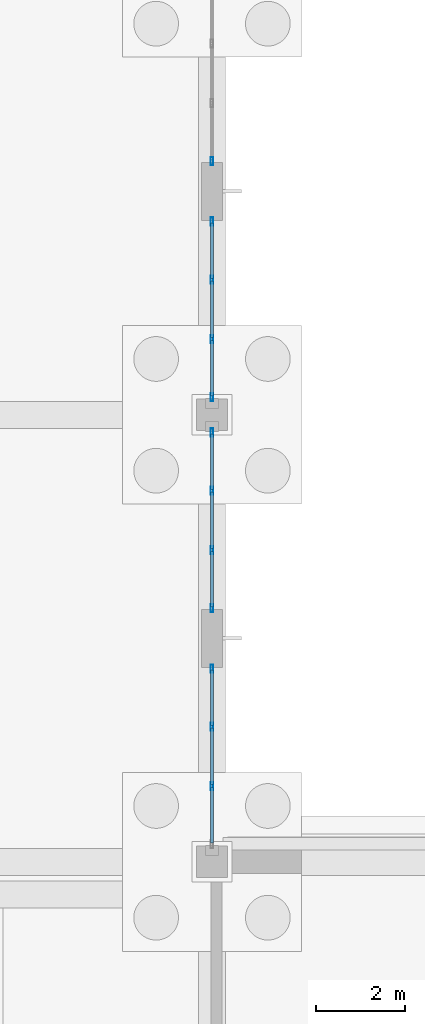
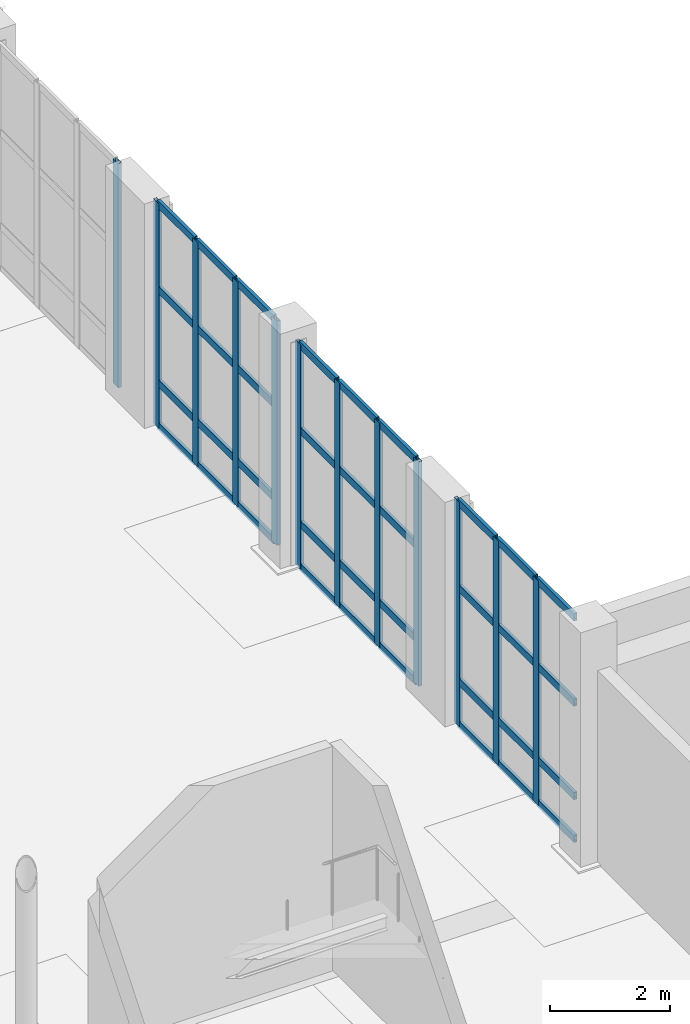
# One storey, part 37 of 73: 48 members, 4 elements without a shape of their own.
"""IFC4 building model written with IfcOpenShell, lengths in metres."""

from ifc_helpers import new_model, si_unit, direction, frame, origin, origin_2d, place, context, subcontext, project, spatial, hollow_rectangle, extrude, material, layer, layer_set, material_profile, profile_set, type_object, element, aggregate, save


model = new_model("IFC4")

# Units and contexts
model_context = context("Model", 3, precision=1e-05, world=origin(), true_north=direction((0.0, 1.0)))
body_context = subcontext(model_context, "Body", "Model", "MODEL_VIEW")
ifc_project = project(units=[si_unit("LENGTHUNIT", "METRE"), si_unit("AREAUNIT", "SQUARE_METRE"), si_unit("VOLUMEUNIT", "CUBIC_METRE"), si_unit("PLANEANGLEUNIT", "RADIAN"), si_unit("MASSUNIT", "GRAM", prefix="KILO")], contexts=[model_context])

# Site, building, storey
site_placement = place(None, origin())
site = spatial("IfcSite", under=ifc_project, at=site_placement, CompositionType="ELEMENT")
building_placement = place(site_placement, origin())
building = spatial("IfcBuilding", under=site, at=building_placement, Name="Tasgan Crest Museum", CompositionType="ELEMENT")
storey_placement = place(building_placement, origin())
storey = spatial("IfcBuildingStorey", under=building, at=storey_placement, Name="L00", CompositionType="ELEMENT", Elevation=0.0)

# Curtain wall, members
ifc_material_1 = material(Name="Triple-Glazed Aluminium Curtain Wall", Category="aluminium")
ifc_layer = layer(ifc_material_1, 0.179931640625, Name="CW-DRUM-Y10-48")
ifc_layer_set = layer_set([ifc_layer], Name="Triple-Glazed Aluminium Curtain Wall")
curtain_wall_type = type_object("IfcCurtainWallType", Name="CW-DRUM-Y10-48", PredefinedType="NOTDEFINED", material=ifc_layer_set)
curtain_wall_1_placement = place(storey_placement, origin())
curtain_wall_1 = element("IfcCurtainWall", 1, at=curtain_wall_1_placement, inside=storey, type_object=curtain_wall_type, Name="Curtain wall L00 013", PredefinedType="NOTDEFINED")
ifc_material_2 = material(Name="Anodised Aluminium", Category="aluminium")
ifc_material_profile_1 = material_profile(ifc_material_2, hollow_rectangle(XDim=0.06494140625, YDim=0.179931640625, WallThickness=0.0048828125, at=origin_2d()), Name="ALU MULLION 180x65x5")
ifc_profile_set_1 = profile_set([ifc_material_profile_1], Name="Anodised Aluminium")
member_type_1 = type_object("IfcMemberType", Name="CW-MULLION-180", PredefinedType="MULLION", material=ifc_profile_set_1)
member_1_placement = place(storey_placement, frame((108.0, 63.695068359375, 0.0), z_axis=(0.0, 0.0, 1.0), x_axis=(-1.0, 0.0, 0.0)))
member_1 = element("IfcMember", 2, at=member_1_placement, type_object=member_type_1, Name="CW04 mullion 2", PredefinedType="MULLION", context=body_context, shape_type="SweptSolid", body=[
    extrude(hollow_rectangle(XDim=0.06494140625, YDim=0.179931640625, WallThickness=0.0048828125, at=origin_2d()), origin(), (0.0, 0.0, 1.0), 4.56005859375),
])
member_2_placement = place(storey_placement, frame((108.0, 65.02490234375, 0.0), z_axis=(0.0, 0.0, 1.0), x_axis=(-1.0, 0.0, 0.0)))
member_2 = element("IfcMember", 3, at=member_2_placement, type_object=member_type_1, Name="CW04 mullion 3", PredefinedType="MULLION", context=body_context, shape_type="SweptSolid", body=[
    extrude(hollow_rectangle(XDim=0.06494140625, YDim=0.179931640625, WallThickness=0.0048828125, at=origin_2d()), origin(), (0.0, 0.0, 1.0), 4.56005859375),
])
member_3_placement = place(storey_placement, frame((108.0, 66.324951171875, 0.0), z_axis=(0.0, 0.0, 1.0), x_axis=(-1.0, 0.0, 0.0)))
member_3 = element("IfcMember", 4, at=member_3_placement, type_object=member_type_1, Name="CW04 mullion 4", PredefinedType="MULLION", context=body_context, shape_type="SweptSolid", body=[
    extrude(hollow_rectangle(XDim=0.06494140625, YDim=0.179931640625, WallThickness=0.0048828125, at=origin_2d()), origin(), (0.0, 0.0, 1.0), 4.56005859375),
])

curtain_wall_2_placement = place(storey_placement, origin())
curtain_wall_2 = element("IfcCurtainWall", 5, at=curtain_wall_2_placement, inside=storey, type_object=curtain_wall_type, Name="Curtain wall L00 014", PredefinedType="NOTDEFINED")
member_4_placement = place(storey_placement, frame((108.0, 67.675048828125, 0.0), z_axis=(0.0, 0.0, 1.0), x_axis=(-1.0, 0.0, 0.0)))
member_4 = element("IfcMember", 6, at=member_4_placement, type_object=member_type_1, Name="CW04 mullion 1", PredefinedType="MULLION", context=body_context, shape_type="SweptSolid", body=[
    extrude(hollow_rectangle(XDim=0.06494140625, YDim=0.179931640625, WallThickness=0.0048828125, at=origin_2d()), origin(), (0.0, 0.0, 1.0), 4.56005859375),
])
member_5_placement = place(storey_placement, frame((108.0, 68.97509765625, 0.0), z_axis=(0.0, 0.0, 1.0), x_axis=(-1.0, 0.0, 0.0)))
member_5 = element("IfcMember", 7, at=member_5_placement, type_object=member_type_1, Name="CW04 mullion 2", PredefinedType="MULLION", context=body_context, shape_type="SweptSolid", body=[
    extrude(hollow_rectangle(XDim=0.06494140625, YDim=0.179931640625, WallThickness=0.0048828125, at=origin_2d()), origin(), (0.0, 0.0, 1.0), 4.56005859375),
])
member_6_placement = place(storey_placement, frame((108.0, 70.304931640625, 0.0), z_axis=(0.0, 0.0, 1.0), x_axis=(-1.0, 0.0, 0.0)))
member_6 = element("IfcMember", 8, at=member_6_placement, type_object=member_type_1, Name="CW04 mullion 3", PredefinedType="MULLION", context=body_context, shape_type="SweptSolid", body=[
    extrude(hollow_rectangle(XDim=0.06494140625, YDim=0.179931640625, WallThickness=0.0048828125, at=origin_2d()), origin(), (0.0, 0.0, 1.0), 4.56005859375),
])
member_7_placement = place(storey_placement, frame((108.0, 71.60498046875, 0.0), z_axis=(0.0, 0.0, 1.0), x_axis=(-1.0, 0.0, 0.0)))
member_7 = element("IfcMember", 9, at=member_7_placement, type_object=member_type_1, Name="CW04 mullion 4", PredefinedType="MULLION", context=body_context, shape_type="SweptSolid", body=[
    extrude(hollow_rectangle(XDim=0.06494140625, YDim=0.179931640625, WallThickness=0.0048828125, at=origin_2d()), origin(), (0.0, 0.0, 1.0), 4.56005859375),
])

curtain_wall_3_placement = place(storey_placement, origin())
curtain_wall_3 = element("IfcCurtainWall", 10, at=curtain_wall_3_placement, inside=storey, type_object=curtain_wall_type, Name="Curtain wall L00 015", PredefinedType="NOTDEFINED")
member_8_placement = place(storey_placement, frame((108.0, 72.39501953125, 0.0), z_axis=(0.0, 0.0, 1.0), x_axis=(-1.0, 0.0, 0.0)))
member_8 = element("IfcMember", 11, at=member_8_placement, type_object=member_type_1, Name="CW04 mullion 1", PredefinedType="MULLION", context=body_context, shape_type="SweptSolid", body=[
    extrude(hollow_rectangle(XDim=0.06494140625, YDim=0.179931640625, WallThickness=0.0048828125, at=origin_2d()), origin(), (0.0, 0.0, 1.0), 4.56005859375),
])
member_9_placement = place(storey_placement, frame((108.0, 73.695068359375, 0.0), z_axis=(0.0, 0.0, 1.0), x_axis=(-1.0, 0.0, 0.0)))
member_9 = element("IfcMember", 12, at=member_9_placement, type_object=member_type_1, Name="CW04 mullion 2", PredefinedType="MULLION", context=body_context, shape_type="SweptSolid", body=[
    extrude(hollow_rectangle(XDim=0.06494140625, YDim=0.179931640625, WallThickness=0.0048828125, at=origin_2d()), origin(), (0.0, 0.0, 1.0), 4.56005859375),
])
member_10_placement = place(storey_placement, frame((108.0, 75.02490234375, 0.0), z_axis=(0.0, 0.0, 1.0), x_axis=(-1.0, 0.0, 0.0)))
member_10 = element("IfcMember", 13, at=member_10_placement, type_object=member_type_1, Name="CW04 mullion 3", PredefinedType="MULLION", context=body_context, shape_type="SweptSolid", body=[
    extrude(hollow_rectangle(XDim=0.06494140625, YDim=0.179931640625, WallThickness=0.0048828125, at=origin_2d()), origin(), (0.0, 0.0, 1.0), 4.56005859375),
])
member_11_placement = place(storey_placement, frame((108.0, 76.324951171875, 0.0), z_axis=(0.0, 0.0, 1.0), x_axis=(-1.0, 0.0, 0.0)))
member_11 = element("IfcMember", 14, at=member_11_placement, type_object=member_type_1, Name="CW04 mullion 4", PredefinedType="MULLION", context=body_context, shape_type="SweptSolid", body=[
    extrude(hollow_rectangle(XDim=0.06494140625, YDim=0.179931640625, WallThickness=0.0048828125, at=origin_2d()), origin(), (0.0, 0.0, 1.0), 4.56005859375),
])

# Curtain wall, member
curtain_wall_4_placement = place(storey_placement, origin())
curtain_wall_4 = element("IfcCurtainWall", 15, at=curtain_wall_4_placement, inside=storey, type_object=curtain_wall_type, Name="Curtain wall L00 016", PredefinedType="NOTDEFINED")
member_12_placement = place(storey_placement, frame((108.0, 77.675048828125, 0.0), z_axis=(0.0, 0.0, 1.0), x_axis=(-1.0, 0.0, 0.0)))
member_12 = element("IfcMember", 16, at=member_12_placement, type_object=member_type_1, Name="CW04 mullion 1", PredefinedType="MULLION", context=body_context, shape_type="SweptSolid", body=[
    extrude(hollow_rectangle(XDim=0.06494140625, YDim=0.179931640625, WallThickness=0.0048828125, at=origin_2d()), origin(), (0.0, 0.0, 1.0), 4.56005859375),
])
aggregate(curtain_wall_4, [member_12])

# Member
ifc_material_3 = material(Name="Anodised Aluminium", Category="aluminium")
ifc_material_profile_2 = material_profile(ifc_material_3, hollow_rectangle(XDim=0.06005859375, YDim=0.14990234375, WallThickness=0.0048828125, at=origin_2d()), Name="ALU TRANSOM 150x60x5")
ifc_profile_set_2 = profile_set([ifc_material_profile_2], Name="Anodised Aluminium")
member_type_2 = type_object("IfcMemberType", Name="CW-TRANSOM-150", PredefinedType="USERDEFINED", material=ifc_profile_set_2)
member_13_placement = place(storey_placement, frame((108.0, 62.425048828125, 0.030029296875), z_axis=(0.0, 1.0, 0.0), x_axis=(-1.0, 0.0, 0.0)))
member_13 = element("IfcMember", 17, at=member_13_placement, type_object=member_type_2, Name="CW04 transom 1.1", ObjectType="TRANSOM", PredefinedType="USERDEFINED", context=body_context, shape_type="SweptSolid", body=[
    extrude(hollow_rectangle(XDim=0.06005859375, YDim=0.14990234375, WallThickness=0.0048828125, at=origin_2d()), origin(), (0.0, 0.0, 1.0), 1.239990234375),
])

member_14_placement = place(storey_placement, frame((108.0, 62.425048828125, 0.89990234375), z_axis=(0.0, 1.0, 0.0), x_axis=(-1.0, 0.0, 0.0)))
member_14 = element("IfcMember", 18, at=member_14_placement, type_object=member_type_2, Name="CW04 transom 1.2", ObjectType="TRANSOM", PredefinedType="USERDEFINED", context=body_context, shape_type="SweptSolid", body=[
    extrude(hollow_rectangle(XDim=0.06005859375, YDim=0.14990234375, WallThickness=0.0048828125, at=origin_2d()), origin(), (0.0, 0.0, 1.0), 1.239990234375),
])

member_15_placement = place(storey_placement, frame((108.0, 62.425048828125, 2.800048828125), z_axis=(0.0, 1.0, 0.0), x_axis=(-1.0, 0.0, 0.0)))
member_15 = element("IfcMember", 19, at=member_15_placement, type_object=member_type_2, Name="CW04 transom 1.3", ObjectType="TRANSOM", PredefinedType="USERDEFINED", context=body_context, shape_type="SweptSolid", body=[
    extrude(hollow_rectangle(XDim=0.06005859375, YDim=0.14990234375, WallThickness=0.0048828125, at=origin_2d()), origin(), (0.0, 0.0, 1.0), 1.239990234375),
])

member_16_placement = place(storey_placement, frame((108.0, 62.425048828125, 4.530029296875), z_axis=(0.0, 1.0, 0.0), x_axis=(-1.0, 0.0, 0.0)))
member_16 = element("IfcMember", 20, at=member_16_placement, type_object=member_type_2, Name="CW04 transom 1.4", ObjectType="TRANSOM", PredefinedType="USERDEFINED", context=body_context, shape_type="SweptSolid", body=[
    extrude(hollow_rectangle(XDim=0.06005859375, YDim=0.14990234375, WallThickness=0.0048828125, at=origin_2d()), origin(), (0.0, 0.0, 1.0), 1.239990234375),
])

member_17_placement = place(storey_placement, frame((108.0, 63.72509765625, 0.030029296875), z_axis=(0.0, 1.0, 0.0), x_axis=(-1.0, 0.0, 0.0)))
member_17 = element("IfcMember", 21, at=member_17_placement, type_object=member_type_2, Name="CW04 transom 2.1", ObjectType="TRANSOM", PredefinedType="USERDEFINED", context=body_context, shape_type="SweptSolid", body=[
    extrude(hollow_rectangle(XDim=0.06005859375, YDim=0.14990234375, WallThickness=0.0048828125, at=origin_2d()), origin(), (0.0, 0.0, 1.0), 1.27001953125),
])

member_18_placement = place(storey_placement, frame((108.0, 63.72509765625, 0.89990234375), z_axis=(0.0, 1.0, 0.0), x_axis=(-1.0, 0.0, 0.0)))
member_18 = element("IfcMember", 22, at=member_18_placement, type_object=member_type_2, Name="CW04 transom 2.2", ObjectType="TRANSOM", PredefinedType="USERDEFINED", context=body_context, shape_type="SweptSolid", body=[
    extrude(hollow_rectangle(XDim=0.06005859375, YDim=0.14990234375, WallThickness=0.0048828125, at=origin_2d()), origin(), (0.0, 0.0, 1.0), 1.27001953125),
])

member_19_placement = place(storey_placement, frame((108.0, 63.72509765625, 2.800048828125), z_axis=(0.0, 1.0, 0.0), x_axis=(-1.0, 0.0, 0.0)))
member_19 = element("IfcMember", 23, at=member_19_placement, type_object=member_type_2, Name="CW04 transom 2.3", ObjectType="TRANSOM", PredefinedType="USERDEFINED", context=body_context, shape_type="SweptSolid", body=[
    extrude(hollow_rectangle(XDim=0.06005859375, YDim=0.14990234375, WallThickness=0.0048828125, at=origin_2d()), origin(), (0.0, 0.0, 1.0), 1.27001953125),
])

member_20_placement = place(storey_placement, frame((108.0, 63.72509765625, 4.530029296875), z_axis=(0.0, 1.0, 0.0), x_axis=(-1.0, 0.0, 0.0)))
member_20 = element("IfcMember", 24, at=member_20_placement, type_object=member_type_2, Name="CW04 transom 2.4", ObjectType="TRANSOM", PredefinedType="USERDEFINED", context=body_context, shape_type="SweptSolid", body=[
    extrude(hollow_rectangle(XDim=0.06005859375, YDim=0.14990234375, WallThickness=0.0048828125, at=origin_2d()), origin(), (0.0, 0.0, 1.0), 1.27001953125),
])

member_21_placement = place(storey_placement, frame((108.0, 65.054931640625, 0.030029296875), z_axis=(0.0, 1.0, 0.0), x_axis=(-1.0, 0.0, 0.0)))
member_21 = element("IfcMember", 25, at=member_21_placement, type_object=member_type_2, Name="CW04 transom 3.1", ObjectType="TRANSOM", PredefinedType="USERDEFINED", context=body_context, shape_type="SweptSolid", body=[
    extrude(hollow_rectangle(XDim=0.06005859375, YDim=0.14990234375, WallThickness=0.0048828125, at=origin_2d()), origin(), (0.0, 0.0, 1.0), 1.239990234375),
])

member_22_placement = place(storey_placement, frame((108.0, 65.054931640625, 0.89990234375), z_axis=(0.0, 1.0, 0.0), x_axis=(-1.0, 0.0, 0.0)))
member_22 = element("IfcMember", 26, at=member_22_placement, type_object=member_type_2, Name="CW04 transom 3.2", ObjectType="TRANSOM", PredefinedType="USERDEFINED", context=body_context, shape_type="SweptSolid", body=[
    extrude(hollow_rectangle(XDim=0.06005859375, YDim=0.14990234375, WallThickness=0.0048828125, at=origin_2d()), origin(), (0.0, 0.0, 1.0), 1.239990234375),
])

member_23_placement = place(storey_placement, frame((108.0, 65.054931640625, 2.800048828125), z_axis=(0.0, 1.0, 0.0), x_axis=(-1.0, 0.0, 0.0)))
member_23 = element("IfcMember", 27, at=member_23_placement, type_object=member_type_2, Name="CW04 transom 3.3", ObjectType="TRANSOM", PredefinedType="USERDEFINED", context=body_context, shape_type="SweptSolid", body=[
    extrude(hollow_rectangle(XDim=0.06005859375, YDim=0.14990234375, WallThickness=0.0048828125, at=origin_2d()), origin(), (0.0, 0.0, 1.0), 1.239990234375),
])

member_24_placement = place(storey_placement, frame((108.0, 65.054931640625, 4.530029296875), z_axis=(0.0, 1.0, 0.0), x_axis=(-1.0, 0.0, 0.0)))
member_24 = element("IfcMember", 28, at=member_24_placement, type_object=member_type_2, Name="CW04 transom 3.4", ObjectType="TRANSOM", PredefinedType="USERDEFINED", context=body_context, shape_type="SweptSolid", body=[
    extrude(hollow_rectangle(XDim=0.06005859375, YDim=0.14990234375, WallThickness=0.0048828125, at=origin_2d()), origin(), (0.0, 0.0, 1.0), 1.239990234375),
])

aggregate(curtain_wall_1, [member_1, member_2, member_3, member_13, member_14, member_15, member_16, member_17, member_18, member_19, member_20, member_21, member_22, member_23, member_24])

member_25_placement = place(storey_placement, frame((108.0, 67.705078125, 0.030029296875), z_axis=(0.0, 1.0, 0.0), x_axis=(-1.0, 0.0, 0.0)))
member_25 = element("IfcMember", 29, at=member_25_placement, type_object=member_type_2, Name="CW04 transom 1.1", ObjectType="TRANSOM", PredefinedType="USERDEFINED", context=body_context, shape_type="SweptSolid", body=[
    extrude(hollow_rectangle(XDim=0.06005859375, YDim=0.14990234375, WallThickness=0.0048828125, at=origin_2d()), origin(), (0.0, 0.0, 1.0), 1.239990234375),
])

member_26_placement = place(storey_placement, frame((108.0, 67.705078125, 0.89990234375), z_axis=(0.0, 1.0, 0.0), x_axis=(-1.0, 0.0, 0.0)))
member_26 = element("IfcMember", 30, at=member_26_placement, type_object=member_type_2, Name="CW04 transom 1.2", ObjectType="TRANSOM", PredefinedType="USERDEFINED", context=body_context, shape_type="SweptSolid", body=[
    extrude(hollow_rectangle(XDim=0.06005859375, YDim=0.14990234375, WallThickness=0.0048828125, at=origin_2d()), origin(), (0.0, 0.0, 1.0), 1.239990234375),
])

member_27_placement = place(storey_placement, frame((108.0, 67.705078125, 2.800048828125), z_axis=(0.0, 1.0, 0.0), x_axis=(-1.0, 0.0, 0.0)))
member_27 = element("IfcMember", 31, at=member_27_placement, type_object=member_type_2, Name="CW04 transom 1.3", ObjectType="TRANSOM", PredefinedType="USERDEFINED", context=body_context, shape_type="SweptSolid", body=[
    extrude(hollow_rectangle(XDim=0.06005859375, YDim=0.14990234375, WallThickness=0.0048828125, at=origin_2d()), origin(), (0.0, 0.0, 1.0), 1.239990234375),
])

member_28_placement = place(storey_placement, frame((108.0, 67.705078125, 4.530029296875), z_axis=(0.0, 1.0, 0.0), x_axis=(-1.0, 0.0, 0.0)))
member_28 = element("IfcMember", 32, at=member_28_placement, type_object=member_type_2, Name="CW04 transom 1.4", ObjectType="TRANSOM", PredefinedType="USERDEFINED", context=body_context, shape_type="SweptSolid", body=[
    extrude(hollow_rectangle(XDim=0.06005859375, YDim=0.14990234375, WallThickness=0.0048828125, at=origin_2d()), origin(), (0.0, 0.0, 1.0), 1.239990234375),
])

member_29_placement = place(storey_placement, frame((108.0, 69.0048828125, 0.030029296875), z_axis=(0.0, 1.0, 0.0), x_axis=(-1.0, 0.0, 0.0)))
member_29 = element("IfcMember", 33, at=member_29_placement, type_object=member_type_2, Name="CW04 transom 2.1", ObjectType="TRANSOM", PredefinedType="USERDEFINED", context=body_context, shape_type="SweptSolid", body=[
    extrude(hollow_rectangle(XDim=0.06005859375, YDim=0.14990234375, WallThickness=0.0048828125, at=origin_2d()), origin(), (0.0, 0.0, 1.0), 1.27001953125),
])

member_30_placement = place(storey_placement, frame((108.0, 69.0048828125, 0.89990234375), z_axis=(0.0, 1.0, 0.0), x_axis=(-1.0, 0.0, 0.0)))
member_30 = element("IfcMember", 34, at=member_30_placement, type_object=member_type_2, Name="CW04 transom 2.2", ObjectType="TRANSOM", PredefinedType="USERDEFINED", context=body_context, shape_type="SweptSolid", body=[
    extrude(hollow_rectangle(XDim=0.06005859375, YDim=0.14990234375, WallThickness=0.0048828125, at=origin_2d()), origin(), (0.0, 0.0, 1.0), 1.27001953125),
])

member_31_placement = place(storey_placement, frame((108.0, 69.0048828125, 2.800048828125), z_axis=(0.0, 1.0, 0.0), x_axis=(-1.0, 0.0, 0.0)))
member_31 = element("IfcMember", 35, at=member_31_placement, type_object=member_type_2, Name="CW04 transom 2.3", ObjectType="TRANSOM", PredefinedType="USERDEFINED", context=body_context, shape_type="SweptSolid", body=[
    extrude(hollow_rectangle(XDim=0.06005859375, YDim=0.14990234375, WallThickness=0.0048828125, at=origin_2d()), origin(), (0.0, 0.0, 1.0), 1.27001953125),
])

member_32_placement = place(storey_placement, frame((108.0, 69.0048828125, 4.530029296875), z_axis=(0.0, 1.0, 0.0), x_axis=(-1.0, 0.0, 0.0)))
member_32 = element("IfcMember", 36, at=member_32_placement, type_object=member_type_2, Name="CW04 transom 2.4", ObjectType="TRANSOM", PredefinedType="USERDEFINED", context=body_context, shape_type="SweptSolid", body=[
    extrude(hollow_rectangle(XDim=0.06005859375, YDim=0.14990234375, WallThickness=0.0048828125, at=origin_2d()), origin(), (0.0, 0.0, 1.0), 1.27001953125),
])

member_33_placement = place(storey_placement, frame((108.0, 70.3349609375, 0.030029296875), z_axis=(0.0, 1.0, 0.0), x_axis=(-1.0, 0.0, 0.0)))
member_33 = element("IfcMember", 37, at=member_33_placement, type_object=member_type_2, Name="CW04 transom 3.1", ObjectType="TRANSOM", PredefinedType="USERDEFINED", context=body_context, shape_type="SweptSolid", body=[
    extrude(hollow_rectangle(XDim=0.06005859375, YDim=0.14990234375, WallThickness=0.0048828125, at=origin_2d()), origin(), (0.0, 0.0, 1.0), 1.239990234375),
])

member_34_placement = place(storey_placement, frame((108.0, 70.3349609375, 0.89990234375), z_axis=(0.0, 1.0, 0.0), x_axis=(-1.0, 0.0, 0.0)))
member_34 = element("IfcMember", 38, at=member_34_placement, type_object=member_type_2, Name="CW04 transom 3.2", ObjectType="TRANSOM", PredefinedType="USERDEFINED", context=body_context, shape_type="SweptSolid", body=[
    extrude(hollow_rectangle(XDim=0.06005859375, YDim=0.14990234375, WallThickness=0.0048828125, at=origin_2d()), origin(), (0.0, 0.0, 1.0), 1.239990234375),
])

member_35_placement = place(storey_placement, frame((108.0, 70.3349609375, 2.800048828125), z_axis=(0.0, 1.0, 0.0), x_axis=(-1.0, 0.0, 0.0)))
member_35 = element("IfcMember", 39, at=member_35_placement, type_object=member_type_2, Name="CW04 transom 3.3", ObjectType="TRANSOM", PredefinedType="USERDEFINED", context=body_context, shape_type="SweptSolid", body=[
    extrude(hollow_rectangle(XDim=0.06005859375, YDim=0.14990234375, WallThickness=0.0048828125, at=origin_2d()), origin(), (0.0, 0.0, 1.0), 1.239990234375),
])

member_36_placement = place(storey_placement, frame((108.0, 70.3349609375, 4.530029296875), z_axis=(0.0, 1.0, 0.0), x_axis=(-1.0, 0.0, 0.0)))
member_36 = element("IfcMember", 40, at=member_36_placement, type_object=member_type_2, Name="CW04 transom 3.4", ObjectType="TRANSOM", PredefinedType="USERDEFINED", context=body_context, shape_type="SweptSolid", body=[
    extrude(hollow_rectangle(XDim=0.06005859375, YDim=0.14990234375, WallThickness=0.0048828125, at=origin_2d()), origin(), (0.0, 0.0, 1.0), 1.239990234375),
])

aggregate(curtain_wall_2, [member_4, member_5, member_6, member_7, member_25, member_26, member_27, member_28, member_29, member_30, member_31, member_32, member_33, member_34, member_35, member_36])

member_37_placement = place(storey_placement, frame((108.0, 72.425048828125, 0.030029296875), z_axis=(0.0, 1.0, 0.0), x_axis=(-1.0, 0.0, 0.0)))
member_37 = element("IfcMember", 41, at=member_37_placement, type_object=member_type_2, Name="CW04 transom 1.1", ObjectType="TRANSOM", PredefinedType="USERDEFINED", context=body_context, shape_type="SweptSolid", body=[
    extrude(hollow_rectangle(XDim=0.06005859375, YDim=0.14990234375, WallThickness=0.0048828125, at=origin_2d()), origin(), (0.0, 0.0, 1.0), 1.239990234375),
])

member_38_placement = place(storey_placement, frame((108.0, 72.425048828125, 0.89990234375), z_axis=(0.0, 1.0, 0.0), x_axis=(-1.0, 0.0, 0.0)))
member_38 = element("IfcMember", 42, at=member_38_placement, type_object=member_type_2, Name="CW04 transom 1.2", ObjectType="TRANSOM", PredefinedType="USERDEFINED", context=body_context, shape_type="SweptSolid", body=[
    extrude(hollow_rectangle(XDim=0.06005859375, YDim=0.14990234375, WallThickness=0.0048828125, at=origin_2d()), origin(), (0.0, 0.0, 1.0), 1.239990234375),
])

member_39_placement = place(storey_placement, frame((108.0, 72.425048828125, 2.800048828125), z_axis=(0.0, 1.0, 0.0), x_axis=(-1.0, 0.0, 0.0)))
member_39 = element("IfcMember", 43, at=member_39_placement, type_object=member_type_2, Name="CW04 transom 1.3", ObjectType="TRANSOM", PredefinedType="USERDEFINED", context=body_context, shape_type="SweptSolid", body=[
    extrude(hollow_rectangle(XDim=0.06005859375, YDim=0.14990234375, WallThickness=0.0048828125, at=origin_2d()), origin(), (0.0, 0.0, 1.0), 1.239990234375),
])

member_40_placement = place(storey_placement, frame((108.0, 72.425048828125, 4.530029296875), z_axis=(0.0, 1.0, 0.0), x_axis=(-1.0, 0.0, 0.0)))
member_40 = element("IfcMember", 44, at=member_40_placement, type_object=member_type_2, Name="CW04 transom 1.4", ObjectType="TRANSOM", PredefinedType="USERDEFINED", context=body_context, shape_type="SweptSolid", body=[
    extrude(hollow_rectangle(XDim=0.06005859375, YDim=0.14990234375, WallThickness=0.0048828125, at=origin_2d()), origin(), (0.0, 0.0, 1.0), 1.239990234375),
])

member_41_placement = place(storey_placement, frame((108.0, 73.72509765625, 0.030029296875), z_axis=(0.0, 1.0, 0.0), x_axis=(-1.0, 0.0, 0.0)))
member_41 = element("IfcMember", 45, at=member_41_placement, type_object=member_type_2, Name="CW04 transom 2.1", ObjectType="TRANSOM", PredefinedType="USERDEFINED", context=body_context, shape_type="SweptSolid", body=[
    extrude(hollow_rectangle(XDim=0.06005859375, YDim=0.14990234375, WallThickness=0.0048828125, at=origin_2d()), origin(), (0.0, 0.0, 1.0), 1.27001953125),
])

member_42_placement = place(storey_placement, frame((108.0, 73.72509765625, 0.89990234375), z_axis=(0.0, 1.0, 0.0), x_axis=(-1.0, 0.0, 0.0)))
member_42 = element("IfcMember", 46, at=member_42_placement, type_object=member_type_2, Name="CW04 transom 2.2", ObjectType="TRANSOM", PredefinedType="USERDEFINED", context=body_context, shape_type="SweptSolid", body=[
    extrude(hollow_rectangle(XDim=0.06005859375, YDim=0.14990234375, WallThickness=0.0048828125, at=origin_2d()), origin(), (0.0, 0.0, 1.0), 1.27001953125),
])

member_43_placement = place(storey_placement, frame((108.0, 73.72509765625, 2.800048828125), z_axis=(0.0, 1.0, 0.0), x_axis=(-1.0, 0.0, 0.0)))
member_43 = element("IfcMember", 47, at=member_43_placement, type_object=member_type_2, Name="CW04 transom 2.3", ObjectType="TRANSOM", PredefinedType="USERDEFINED", context=body_context, shape_type="SweptSolid", body=[
    extrude(hollow_rectangle(XDim=0.06005859375, YDim=0.14990234375, WallThickness=0.0048828125, at=origin_2d()), origin(), (0.0, 0.0, 1.0), 1.27001953125),
])

member_44_placement = place(storey_placement, frame((108.0, 73.72509765625, 4.530029296875), z_axis=(0.0, 1.0, 0.0), x_axis=(-1.0, 0.0, 0.0)))
member_44 = element("IfcMember", 48, at=member_44_placement, type_object=member_type_2, Name="CW04 transom 2.4", ObjectType="TRANSOM", PredefinedType="USERDEFINED", context=body_context, shape_type="SweptSolid", body=[
    extrude(hollow_rectangle(XDim=0.06005859375, YDim=0.14990234375, WallThickness=0.0048828125, at=origin_2d()), origin(), (0.0, 0.0, 1.0), 1.27001953125),
])

member_45_placement = place(storey_placement, frame((108.0, 75.054931640625, 0.030029296875), z_axis=(0.0, 1.0, 0.0), x_axis=(-1.0, 0.0, 0.0)))
member_45 = element("IfcMember", 49, at=member_45_placement, type_object=member_type_2, Name="CW04 transom 3.1", ObjectType="TRANSOM", PredefinedType="USERDEFINED", context=body_context, shape_type="SweptSolid", body=[
    extrude(hollow_rectangle(XDim=0.06005859375, YDim=0.14990234375, WallThickness=0.0048828125, at=origin_2d()), origin(), (0.0, 0.0, 1.0), 1.239990234375),
])

member_46_placement = place(storey_placement, frame((108.0, 75.054931640625, 0.89990234375), z_axis=(0.0, 1.0, 0.0), x_axis=(-1.0, 0.0, 0.0)))
member_46 = element("IfcMember", 50, at=member_46_placement, type_object=member_type_2, Name="CW04 transom 3.2", ObjectType="TRANSOM", PredefinedType="USERDEFINED", context=body_context, shape_type="SweptSolid", body=[
    extrude(hollow_rectangle(XDim=0.06005859375, YDim=0.14990234375, WallThickness=0.0048828125, at=origin_2d()), origin(), (0.0, 0.0, 1.0), 1.239990234375),
])

member_47_placement = place(storey_placement, frame((108.0, 75.054931640625, 2.800048828125), z_axis=(0.0, 1.0, 0.0), x_axis=(-1.0, 0.0, 0.0)))
member_47 = element("IfcMember", 51, at=member_47_placement, type_object=member_type_2, Name="CW04 transom 3.3", ObjectType="TRANSOM", PredefinedType="USERDEFINED", context=body_context, shape_type="SweptSolid", body=[
    extrude(hollow_rectangle(XDim=0.06005859375, YDim=0.14990234375, WallThickness=0.0048828125, at=origin_2d()), origin(), (0.0, 0.0, 1.0), 1.239990234375),
])

member_48_placement = place(storey_placement, frame((108.0, 75.054931640625, 4.530029296875), z_axis=(0.0, 1.0, 0.0), x_axis=(-1.0, 0.0, 0.0)))
member_48 = element("IfcMember", 52, at=member_48_placement, type_object=member_type_2, Name="CW04 transom 3.4", ObjectType="TRANSOM", PredefinedType="USERDEFINED", context=body_context, shape_type="SweptSolid", body=[
    extrude(hollow_rectangle(XDim=0.06005859375, YDim=0.14990234375, WallThickness=0.0048828125, at=origin_2d()), origin(), (0.0, 0.0, 1.0), 1.239990234375),
])

aggregate(curtain_wall_3, [member_8, member_9, member_10, member_11, member_37, member_38, member_39, member_40, member_41, member_42, member_43, member_44, member_45, member_46, member_47, member_48])

save(model, "model.ifc")
